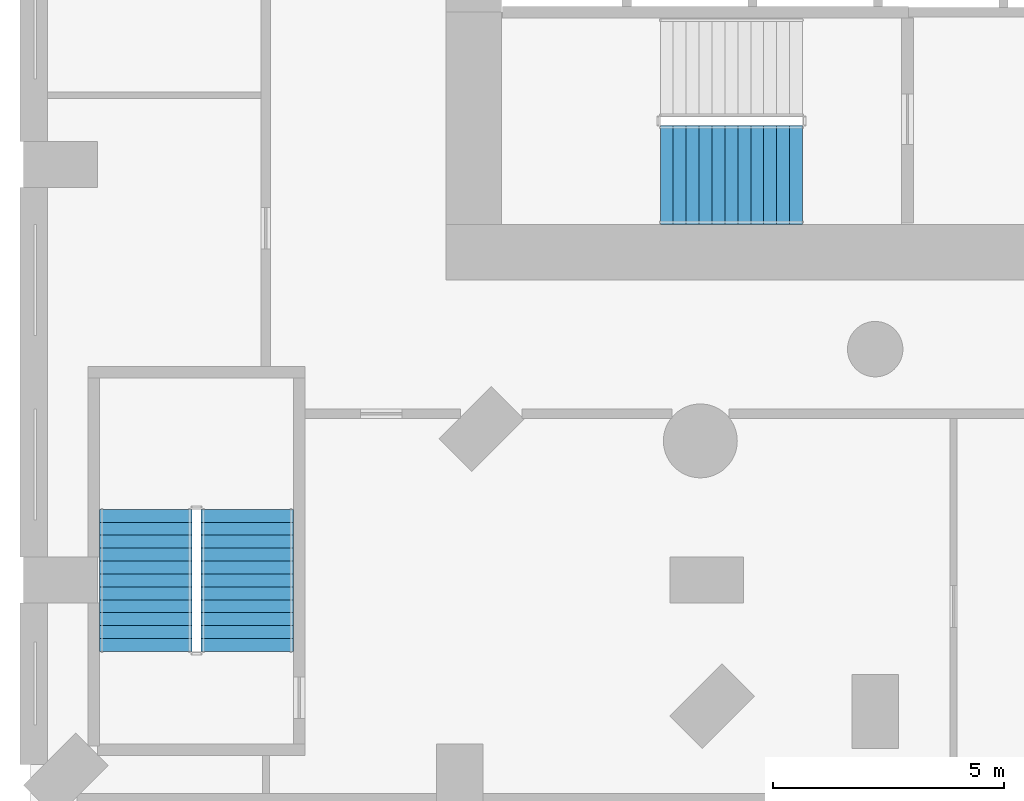
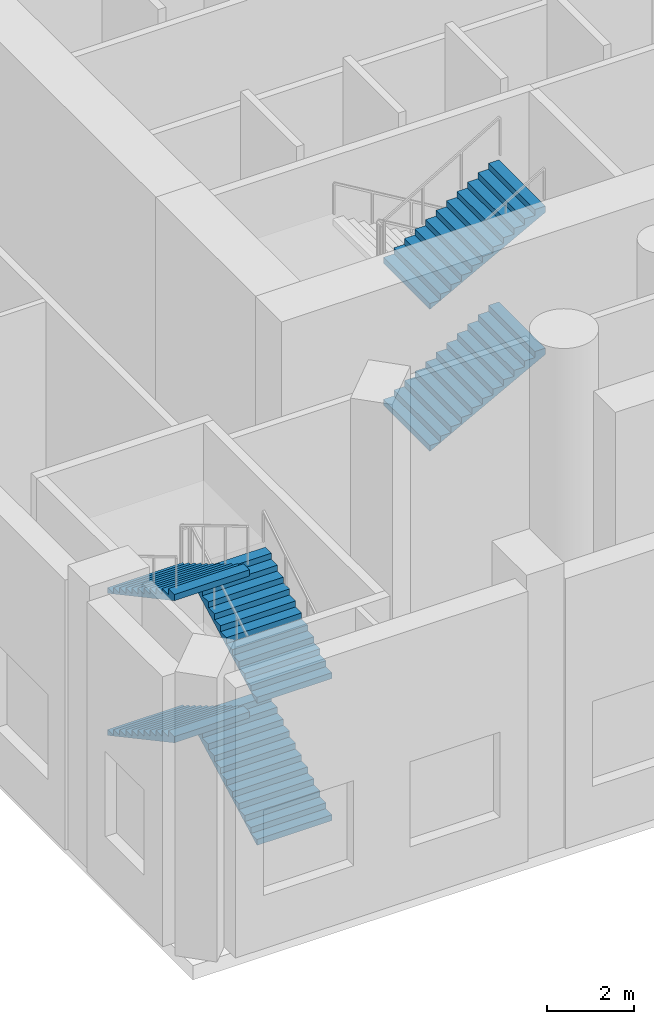
# One storey, part 10 of 18: 6 stair flights, 2 elements without a shape of their own.
"""IFC4 building model written with IfcOpenShell, lengths in metres."""

from ifc_helpers import new_model, si_unit, direction, frame, origin, place, context, subcontext, project, spatial, triangles, material, type_object, element, aggregate, save


model = new_model("IFC4")

# Units and contexts
model_context = context("Model", 3, precision=1e-05, world=origin(), true_north=direction((0.0, 1.0)))
body_context = subcontext(model_context, "Body", "Model", "MODEL_VIEW")
ifc_project = project(units=[si_unit("LENGTHUNIT", "METRE"), si_unit("AREAUNIT", "SQUARE_METRE"), si_unit("VOLUMEUNIT", "CUBIC_METRE"), si_unit("PLANEANGLEUNIT", "RADIAN"), si_unit("MASSUNIT", "GRAM", prefix="KILO")], contexts=[model_context])

# Site, building, storey
site_placement = place(None, origin())
site = spatial("IfcSite", under=ifc_project, at=site_placement, CompositionType="ELEMENT")
building_placement = place(site_placement, origin())
building = spatial("IfcBuilding", under=site, at=building_placement, Name="Cypress Arch Tower", CompositionType="ELEMENT")
storey_placement = place(building_placement, frame((0.0, 0.0, 36.0)))
storey = spatial("IfcBuildingStorey", under=building, at=storey_placement, Name="L04", CompositionType="ELEMENT", Elevation=36.0)

# Stair, stair flights
ifc_material_1 = material(Name="Concrete C40/50", Category="concrete")
stair_type_1 = type_object("IfcStairType", Name="Exit stair ES1667-200", PredefinedType="HALF_TURN_STAIR", material=ifc_material_1)
stair_1_placement = place(storey_placement, origin())
stair_1 = element("IfcStair", 1, at=stair_1_placement, inside=storey, type_object=stair_type_1, Name="L04 Exit stair P1", PredefinedType="HALF_TURN_STAIR")
ifc_material_2 = material(Name="Concrete C40/50", Category="concrete")
stair_flight_type_1 = type_object("IfcStairFlightType", Name="Exit stair flight ES1667-200", PredefinedType="STRAIGHT", material=ifc_material_2)
stair_flight_1_placement = place(storey_placement, frame((-34.300048828125, -24.050048828125, 0.0), z_axis=(0.0, 0.0, 1.0), x_axis=(0.0, 1.0, 0.0)))
stair_flight_1 = element("IfcStairFlight", 2, at=stair_flight_1_placement, type_object=stair_flight_type_1, Name="P1 flight 1", NumberOfRisers=12, NumberOfTreads=11, PredefinedType="STRAIGHT", RiserHeight=0.166666667, TreadLength=0.28, context=body_context, shape_type="Tessellation", body=[
    triangles([(0.0, -1.0, 0.0), (0.0, -1.0, 0.166748046875), (0.280029296875, -1.0, 0.166748046875), (0.280029296875, -1.0, 0.333251953125), (0.56005859375, -1.0, 0.333251953125), (0.56005859375, -1.0, 0.5), (0.840087890625, -1.0, 0.5), (0.840087890625, -1.0, 0.666748046875), (1.1201171875, -1.0, 0.666748046875), (1.1201171875, -1.0, 0.833251953125), (1.39990234375, -1.0, 0.833251953125), (1.39990234375, -1.0, 1.0), (1.679931640625, -1.0, 1.0), (1.679931640625, -1.0, 1.166748046875), (1.9599609375, -1.0, 1.166748046875), (1.9599609375, -1.0, 1.333251953125), (2.239990234375, -1.0, 1.333251953125), (2.239990234375, -1.0, 1.5), (2.52001953125, -1.0, 1.5), (2.52001953125, -1.0, 1.666748046875), (2.800048828125, -1.0, 1.666748046875), (2.800048828125, -1.0, 1.833251953125), (3.080078125, -1.0, 1.833251953125), (3.080078125, -1.0, 1.658935546875), (3.080078125, 1.0, 1.658935546875), (3.080078125, 1.0, 1.833251953125), (2.800048828125, 1.0, 1.833251953125), (2.800048828125, 1.0, 1.666748046875), (2.52001953125, 1.0, 1.666748046875), (2.52001953125, 1.0, 1.5), (2.239990234375, 1.0, 1.5), (2.239990234375, 1.0, 1.333251953125), (1.9599609375, 1.0, 1.333251953125), (1.9599609375, 1.0, 1.166748046875), (1.679931640625, 1.0, 1.166748046875), (1.679931640625, 1.0, 1.0), (1.39990234375, 1.0, 1.0), (1.39990234375, 1.0, 0.833251953125), (1.1201171875, 1.0, 0.833251953125), (1.1201171875, 1.0, 0.666748046875), (0.840087890625, 1.0, 0.666748046875), (0.840087890625, 1.0, 0.5), (0.56005859375, 1.0, 0.5), (0.56005859375, 1.0, 0.333251953125), (0.280029296875, 1.0, 0.333251953125), (0.280029296875, 1.0, 0.166748046875), (0.0, 1.0, 0.166748046875), (0.0, 1.0, 0.0), (3.080078125, 0.0, 1.833251953125), (3.080078125, 0.0, 1.658935546875), (2.800048828125, 0.0, 1.833251953125), (2.800048828125, 0.0, 1.666748046875), (2.52001953125, 0.0, 1.666748046875), (2.52001953125, 0.0, 1.5), (2.239990234375, 0.0, 1.5), (2.239990234375, 0.0, 1.333251953125), (1.9599609375, 0.0, 1.333251953125), (1.9599609375, 0.0, 1.166748046875), (1.679931640625, 0.0, 1.166748046875), (1.679931640625, 0.0, 1.0), (1.39990234375, 0.0, 1.0), (1.39990234375, 0.0, 0.833251953125), (1.1201171875, 0.0, 0.833251953125), (1.1201171875, 0.0, 0.666748046875), (0.840087890625, 0.0, 0.666748046875), (0.840087890625, 0.0, 0.5), (0.56005859375, 0.0, 0.5), (0.56005859375, 0.0, 0.333251953125), (0.280029296875, 0.0, 0.333251953125), (0.280029296875, 0.0, 0.166748046875), (0.0, 0.0, 0.166748046875), (0.0, 0.0, 0.0)], [[24, 23, 22], [21, 20, 19], [19, 18, 17], [15, 14, 13], [13, 12, 11], [9, 8, 7], [7, 6, 5], [3, 2, 1], [11, 10, 9], [17, 16, 15], [5, 4, 3], [24, 22, 21], [24, 21, 19], [24, 19, 17], [24, 17, 15], [24, 15, 13], [24, 13, 11], [24, 11, 9], [24, 9, 7], [24, 7, 5], [1, 24, 5], [5, 3, 1], [25, 27, 26], [28, 30, 29], [30, 32, 31], [34, 36, 35], [36, 38, 37], [40, 42, 41], [42, 44, 43], [46, 48, 47], [38, 40, 39], [32, 34, 33], [44, 46, 45], [25, 28, 27], [25, 30, 28], [25, 32, 30], [25, 34, 32], [25, 36, 34], [25, 38, 36], [25, 40, 38], [25, 42, 40], [25, 44, 42], [48, 44, 25], [44, 48, 46], [50, 49, 23], [50, 23, 24], [25, 26, 49], [25, 49, 50], [49, 51, 22], [49, 22, 23], [26, 27, 51], [26, 51, 49], [51, 52, 21], [51, 21, 22], [27, 28, 52], [27, 52, 51], [52, 53, 20], [52, 20, 21], [28, 29, 53], [28, 53, 52], [53, 54, 19], [53, 19, 20], [29, 30, 54], [29, 54, 53], [54, 55, 18], [54, 18, 19], [30, 31, 55], [30, 55, 54], [55, 56, 17], [55, 17, 18], [31, 32, 56], [31, 56, 55], [56, 57, 16], [56, 16, 17], [32, 33, 57], [32, 57, 56], [57, 58, 15], [57, 15, 16], [33, 34, 58], [33, 58, 57], [58, 59, 14], [58, 14, 15], [34, 35, 59], [34, 59, 58], [59, 60, 13], [59, 13, 14], [35, 36, 60], [35, 60, 59], [60, 61, 12], [60, 12, 13], [36, 37, 61], [36, 61, 60], [61, 62, 11], [61, 11, 12], [37, 38, 62], [37, 62, 61], [62, 63, 10], [62, 10, 11], [38, 39, 63], [38, 63, 62], [63, 64, 9], [63, 9, 10], [39, 40, 64], [39, 64, 63], [64, 65, 8], [64, 8, 9], [40, 41, 65], [40, 65, 64], [65, 66, 7], [65, 7, 8], [41, 42, 66], [41, 66, 65], [66, 67, 6], [66, 6, 7], [42, 43, 67], [42, 67, 66], [67, 68, 5], [67, 5, 6], [43, 44, 68], [43, 68, 67], [68, 69, 4], [68, 4, 5], [44, 45, 69], [44, 69, 68], [69, 70, 3], [69, 3, 4], [45, 46, 70], [45, 70, 69], [70, 71, 2], [70, 2, 3], [46, 47, 71], [46, 71, 70], [71, 72, 1], [71, 1, 2], [47, 48, 72], [47, 72, 71], [72, 50, 24], [72, 24, 1], [48, 25, 50], [48, 50, 72]], closed=True),
])
stair_flight_2_placement = place(storey_placement, frame((-36.5, -20.969970703125, 2.0), z_axis=(0.0, 0.0, 1.0), x_axis=(0.0, -1.0, 0.0)))
stair_flight_2 = element("IfcStairFlight", 3, at=stair_flight_2_placement, type_object=stair_flight_type_1, Name="P1 flight 2", NumberOfRisers=12, NumberOfTreads=11, PredefinedType="STRAIGHT", RiserHeight=0.166666667, TreadLength=0.28, context=body_context, shape_type="Tessellation", body=[
    triangles([(0.0, -1.0, 0.0), (0.0, -1.0, 0.166748046875), (0.280029296875, -1.0, 0.166748046875), (0.280029296875, -1.0, 0.333251953125), (0.56005859375, -1.0, 0.333251953125), (0.56005859375, -1.0, 0.5), (0.840087890625, -1.0, 0.5), (0.840087890625, -1.0, 0.666748046875), (1.1201171875, -1.0, 0.666748046875), (1.1201171875, -1.0, 0.833251953125), (1.39990234375, -1.0, 0.833251953125), (1.39990234375, -1.0, 1.0), (1.679931640625, -1.0, 1.0), (1.679931640625, -1.0, 1.166748046875), (1.9599609375, -1.0, 1.166748046875), (1.9599609375, -1.0, 1.333251953125), (2.239990234375, -1.0, 1.333251953125), (2.239990234375, -1.0, 1.5), (2.52001953125, -1.0, 1.5), (2.52001953125, -1.0, 1.666748046875), (2.800048828125, -1.0, 1.666748046875), (2.800048828125, -1.0, 1.833251953125), (3.080078125, -1.0, 1.833251953125), (3.080078125, -1.0, 1.658935546875), (3.080078125, 1.0, 1.658935546875), (3.080078125, 1.0, 1.833251953125), (2.800048828125, 1.0, 1.833251953125), (2.800048828125, 1.0, 1.666748046875), (2.52001953125, 1.0, 1.666748046875), (2.52001953125, 1.0, 1.5), (2.239990234375, 1.0, 1.5), (2.239990234375, 1.0, 1.333251953125), (1.9599609375, 1.0, 1.333251953125), (1.9599609375, 1.0, 1.166748046875), (1.679931640625, 1.0, 1.166748046875), (1.679931640625, 1.0, 1.0), (1.39990234375, 1.0, 1.0), (1.39990234375, 1.0, 0.833251953125), (1.1201171875, 1.0, 0.833251953125), (1.1201171875, 1.0, 0.666748046875), (0.840087890625, 1.0, 0.666748046875), (0.840087890625, 1.0, 0.5), (0.56005859375, 1.0, 0.5), (0.56005859375, 1.0, 0.333251953125), (0.280029296875, 1.0, 0.333251953125), (0.280029296875, 1.0, 0.166748046875), (0.0, 1.0, 0.166748046875), (0.0, 1.0, 0.0), (3.080078125, 0.0, 1.833251953125), (3.080078125, 0.0, 1.658935546875), (2.800048828125, 0.0, 1.833251953125), (2.800048828125, 0.0, 1.666748046875), (2.52001953125, 0.0, 1.666748046875), (2.52001953125, 0.0, 1.5), (2.239990234375, 0.0, 1.5), (2.239990234375, 0.0, 1.333251953125), (1.9599609375, 0.0, 1.333251953125), (1.9599609375, 0.0, 1.166748046875), (1.679931640625, 0.0, 1.166748046875), (1.679931640625, 0.0, 1.0), (1.39990234375, 0.0, 1.0), (1.39990234375, 0.0, 0.833251953125), (1.1201171875, 0.0, 0.833251953125), (1.1201171875, 0.0, 0.666748046875), (0.840087890625, 0.0, 0.666748046875), (0.840087890625, 0.0, 0.5), (0.56005859375, 0.0, 0.5), (0.56005859375, 0.0, 0.333251953125), (0.280029296875, 0.0, 0.333251953125), (0.280029296875, 0.0, 0.166748046875), (0.0, 0.0, 0.166748046875), (0.0, 0.0, 0.0)], [[24, 23, 22], [21, 20, 19], [19, 18, 17], [15, 14, 13], [13, 12, 11], [9, 8, 7], [7, 6, 5], [3, 2, 1], [11, 10, 9], [17, 16, 15], [5, 4, 3], [24, 22, 21], [24, 21, 19], [24, 19, 17], [24, 17, 15], [24, 15, 13], [24, 13, 11], [24, 11, 9], [24, 9, 7], [24, 7, 5], [1, 24, 5], [5, 3, 1], [25, 27, 26], [28, 30, 29], [30, 32, 31], [34, 36, 35], [36, 38, 37], [40, 42, 41], [42, 44, 43], [46, 48, 47], [38, 40, 39], [32, 34, 33], [44, 46, 45], [25, 28, 27], [25, 30, 28], [25, 32, 30], [25, 34, 32], [25, 36, 34], [25, 38, 36], [25, 40, 38], [25, 42, 40], [25, 44, 42], [48, 44, 25], [44, 48, 46], [50, 49, 23], [50, 23, 24], [25, 26, 49], [25, 49, 50], [49, 51, 22], [49, 22, 23], [26, 27, 51], [26, 51, 49], [51, 52, 21], [51, 21, 22], [27, 28, 52], [27, 52, 51], [52, 53, 20], [52, 20, 21], [28, 29, 53], [28, 53, 52], [53, 54, 19], [53, 19, 20], [29, 30, 54], [29, 54, 53], [54, 55, 18], [54, 18, 19], [30, 31, 55], [30, 55, 54], [55, 56, 17], [55, 17, 18], [31, 32, 56], [31, 56, 55], [56, 57, 16], [56, 16, 17], [32, 33, 57], [32, 57, 56], [57, 58, 15], [57, 15, 16], [33, 34, 58], [33, 58, 57], [58, 59, 14], [58, 14, 15], [34, 35, 59], [34, 59, 58], [59, 60, 13], [59, 13, 14], [35, 36, 60], [35, 60, 59], [60, 61, 12], [60, 12, 13], [36, 37, 61], [36, 61, 60], [61, 62, 11], [61, 11, 12], [37, 38, 62], [37, 62, 61], [62, 63, 10], [62, 10, 11], [38, 39, 63], [38, 63, 62], [63, 64, 9], [63, 9, 10], [39, 40, 64], [39, 64, 63], [64, 65, 8], [64, 8, 9], [40, 41, 65], [40, 65, 64], [65, 66, 7], [65, 7, 8], [41, 42, 66], [41, 66, 65], [66, 67, 6], [66, 6, 7], [42, 43, 67], [42, 67, 66], [67, 68, 5], [67, 5, 6], [43, 44, 68], [43, 68, 67], [68, 69, 4], [68, 4, 5], [44, 45, 69], [44, 69, 68], [69, 70, 3], [69, 3, 4], [45, 46, 70], [45, 70, 69], [70, 71, 2], [70, 2, 3], [46, 47, 71], [46, 71, 70], [71, 72, 1], [71, 1, 2], [47, 48, 72], [47, 72, 71], [72, 50, 24], [72, 24, 1], [48, 25, 50], [48, 50, 72]], closed=True),
])
stair_flight_3_placement = place(storey_placement, frame((-34.300048828125, -24.050048828125, 4.0), z_axis=(0.0, 0.0, 1.0), x_axis=(0.0, 1.0, 0.0)))
stair_flight_3 = element("IfcStairFlight", 4, at=stair_flight_3_placement, type_object=stair_flight_type_1, Name="P1 flight 3", NumberOfRisers=12, NumberOfTreads=11, PredefinedType="STRAIGHT", RiserHeight=0.166666667, TreadLength=0.28, context=body_context, shape_type="Tessellation", body=[
    triangles([(0.0, -1.0, 0.0), (0.0, -1.0, 0.166748046875), (0.280029296875, -1.0, 0.166748046875), (0.280029296875, -1.0, 0.333251953125), (0.56005859375, -1.0, 0.333251953125), (0.56005859375, -1.0, 0.5), (0.840087890625, -1.0, 0.5), (0.840087890625, -1.0, 0.666748046875), (1.1201171875, -1.0, 0.666748046875), (1.1201171875, -1.0, 0.833251953125), (1.39990234375, -1.0, 0.833251953125), (1.39990234375, -1.0, 1.0), (1.679931640625, -1.0, 1.0), (1.679931640625, -1.0, 1.166748046875), (1.9599609375, -1.0, 1.166748046875), (1.9599609375, -1.0, 1.333251953125), (2.239990234375, -1.0, 1.333251953125), (2.239990234375, -1.0, 1.5), (2.52001953125, -1.0, 1.5), (2.52001953125, -1.0, 1.666748046875), (2.800048828125, -1.0, 1.666748046875), (2.800048828125, -1.0, 1.833251953125), (3.080078125, -1.0, 1.833251953125), (3.080078125, -1.0, 1.658935546875), (3.080078125, 1.0, 1.658935546875), (3.080078125, 1.0, 1.833251953125), (2.800048828125, 1.0, 1.833251953125), (2.800048828125, 1.0, 1.666748046875), (2.52001953125, 1.0, 1.666748046875), (2.52001953125, 1.0, 1.5), (2.239990234375, 1.0, 1.5), (2.239990234375, 1.0, 1.333251953125), (1.9599609375, 1.0, 1.333251953125), (1.9599609375, 1.0, 1.166748046875), (1.679931640625, 1.0, 1.166748046875), (1.679931640625, 1.0, 1.0), (1.39990234375, 1.0, 1.0), (1.39990234375, 1.0, 0.833251953125), (1.1201171875, 1.0, 0.833251953125), (1.1201171875, 1.0, 0.666748046875), (0.840087890625, 1.0, 0.666748046875), (0.840087890625, 1.0, 0.5), (0.56005859375, 1.0, 0.5), (0.56005859375, 1.0, 0.333251953125), (0.280029296875, 1.0, 0.333251953125), (0.280029296875, 1.0, 0.166748046875), (0.0, 1.0, 0.166748046875), (0.0, 1.0, 0.0), (3.080078125, 0.0, 1.833251953125), (3.080078125, 0.0, 1.658935546875), (2.800048828125, 0.0, 1.833251953125), (2.800048828125, 0.0, 1.666748046875), (2.52001953125, 0.0, 1.666748046875), (2.52001953125, 0.0, 1.5), (2.239990234375, 0.0, 1.5), (2.239990234375, 0.0, 1.333251953125), (1.9599609375, 0.0, 1.333251953125), (1.9599609375, 0.0, 1.166748046875), (1.679931640625, 0.0, 1.166748046875), (1.679931640625, 0.0, 1.0), (1.39990234375, 0.0, 1.0), (1.39990234375, 0.0, 0.833251953125), (1.1201171875, 0.0, 0.833251953125), (1.1201171875, 0.0, 0.666748046875), (0.840087890625, 0.0, 0.666748046875), (0.840087890625, 0.0, 0.5), (0.56005859375, 0.0, 0.5), (0.56005859375, 0.0, 0.333251953125), (0.280029296875, 0.0, 0.333251953125), (0.280029296875, 0.0, 0.166748046875), (0.0, 0.0, 0.166748046875), (0.0, 0.0, 0.0)], [[24, 23, 22], [21, 20, 19], [19, 18, 17], [15, 14, 13], [13, 12, 11], [9, 8, 7], [7, 6, 5], [3, 2, 1], [11, 10, 9], [17, 16, 15], [5, 4, 3], [24, 22, 21], [24, 21, 19], [24, 19, 17], [24, 17, 15], [24, 15, 13], [24, 13, 11], [24, 11, 9], [24, 9, 7], [24, 7, 5], [1, 24, 5], [5, 3, 1], [25, 27, 26], [28, 30, 29], [30, 32, 31], [34, 36, 35], [36, 38, 37], [40, 42, 41], [42, 44, 43], [46, 48, 47], [38, 40, 39], [32, 34, 33], [44, 46, 45], [25, 28, 27], [25, 30, 28], [25, 32, 30], [25, 34, 32], [25, 36, 34], [25, 38, 36], [25, 40, 38], [25, 42, 40], [25, 44, 42], [48, 44, 25], [44, 48, 46], [50, 49, 23], [50, 23, 24], [25, 26, 49], [25, 49, 50], [49, 51, 22], [49, 22, 23], [26, 27, 51], [26, 51, 49], [51, 52, 21], [51, 21, 22], [27, 28, 52], [27, 52, 51], [52, 53, 20], [52, 20, 21], [28, 29, 53], [28, 53, 52], [53, 54, 19], [53, 19, 20], [29, 30, 54], [29, 54, 53], [54, 55, 18], [54, 18, 19], [30, 31, 55], [30, 55, 54], [55, 56, 17], [55, 17, 18], [31, 32, 56], [31, 56, 55], [56, 57, 16], [56, 16, 17], [32, 33, 57], [32, 57, 56], [57, 58, 15], [57, 15, 16], [33, 34, 58], [33, 58, 57], [58, 59, 14], [58, 14, 15], [34, 35, 59], [34, 59, 58], [59, 60, 13], [59, 13, 14], [35, 36, 60], [35, 60, 59], [60, 61, 12], [60, 12, 13], [36, 37, 61], [36, 61, 60], [61, 62, 11], [61, 11, 12], [37, 38, 62], [37, 62, 61], [62, 63, 10], [62, 10, 11], [38, 39, 63], [38, 63, 62], [63, 64, 9], [63, 9, 10], [39, 40, 64], [39, 64, 63], [64, 65, 8], [64, 8, 9], [40, 41, 65], [40, 65, 64], [65, 66, 7], [65, 7, 8], [41, 42, 66], [41, 66, 65], [66, 67, 6], [66, 6, 7], [42, 43, 67], [42, 67, 66], [67, 68, 5], [67, 5, 6], [43, 44, 68], [43, 68, 67], [68, 69, 4], [68, 4, 5], [44, 45, 69], [44, 69, 68], [69, 70, 3], [69, 3, 4], [45, 46, 70], [45, 70, 69], [70, 71, 2], [70, 2, 3], [46, 47, 71], [46, 71, 70], [71, 72, 1], [71, 1, 2], [47, 48, 72], [47, 72, 71], [72, 50, 24], [72, 24, 1], [48, 25, 50], [48, 50, 72]], closed=True),
])
stair_flight_4_placement = place(storey_placement, frame((-36.5, -20.969970703125, 6.0), z_axis=(0.0, 0.0, 1.0), x_axis=(0.0, -1.0, 0.0)))
stair_flight_4 = element("IfcStairFlight", 5, at=stair_flight_4_placement, type_object=stair_flight_type_1, Name="P1 flight 4", NumberOfRisers=12, NumberOfTreads=11, PredefinedType="STRAIGHT", RiserHeight=0.166666667, TreadLength=0.28, context=body_context, shape_type="Tessellation", body=[
    triangles([(0.0, -1.0, 0.0), (0.0, -1.0, 0.166748046875), (0.280029296875, -1.0, 0.166748046875), (0.280029296875, -1.0, 0.333251953125), (0.56005859375, -1.0, 0.333251953125), (0.56005859375, -1.0, 0.5), (0.840087890625, -1.0, 0.5), (0.840087890625, -1.0, 0.666748046875), (1.1201171875, -1.0, 0.666748046875), (1.1201171875, -1.0, 0.833251953125), (1.39990234375, -1.0, 0.833251953125), (1.39990234375, -1.0, 1.0), (1.679931640625, -1.0, 1.0), (1.679931640625, -1.0, 1.166748046875), (1.9599609375, -1.0, 1.166748046875), (1.9599609375, -1.0, 1.333251953125), (2.239990234375, -1.0, 1.333251953125), (2.239990234375, -1.0, 1.5), (2.52001953125, -1.0, 1.5), (2.52001953125, -1.0, 1.666748046875), (2.800048828125, -1.0, 1.666748046875), (2.800048828125, -1.0, 1.833251953125), (3.080078125, -1.0, 1.833251953125), (3.080078125, -1.0, 1.658935546875), (3.080078125, 1.0, 1.658935546875), (3.080078125, 1.0, 1.833251953125), (2.800048828125, 1.0, 1.833251953125), (2.800048828125, 1.0, 1.666748046875), (2.52001953125, 1.0, 1.666748046875), (2.52001953125, 1.0, 1.5), (2.239990234375, 1.0, 1.5), (2.239990234375, 1.0, 1.333251953125), (1.9599609375, 1.0, 1.333251953125), (1.9599609375, 1.0, 1.166748046875), (1.679931640625, 1.0, 1.166748046875), (1.679931640625, 1.0, 1.0), (1.39990234375, 1.0, 1.0), (1.39990234375, 1.0, 0.833251953125), (1.1201171875, 1.0, 0.833251953125), (1.1201171875, 1.0, 0.666748046875), (0.840087890625, 1.0, 0.666748046875), (0.840087890625, 1.0, 0.5), (0.56005859375, 1.0, 0.5), (0.56005859375, 1.0, 0.333251953125), (0.280029296875, 1.0, 0.333251953125), (0.280029296875, 1.0, 0.166748046875), (0.0, 1.0, 0.166748046875), (0.0, 1.0, 0.0), (3.080078125, 0.0, 1.833251953125), (3.080078125, 0.0, 1.658935546875), (2.800048828125, 0.0, 1.833251953125), (2.800048828125, 0.0, 1.666748046875), (2.52001953125, 0.0, 1.666748046875), (2.52001953125, 0.0, 1.5), (2.239990234375, 0.0, 1.5), (2.239990234375, 0.0, 1.333251953125), (1.9599609375, 0.0, 1.333251953125), (1.9599609375, 0.0, 1.166748046875), (1.679931640625, 0.0, 1.166748046875), (1.679931640625, 0.0, 1.0), (1.39990234375, 0.0, 1.0), (1.39990234375, 0.0, 0.833251953125), (1.1201171875, 0.0, 0.833251953125), (1.1201171875, 0.0, 0.666748046875), (0.840087890625, 0.0, 0.666748046875), (0.840087890625, 0.0, 0.5), (0.56005859375, 0.0, 0.5), (0.56005859375, 0.0, 0.333251953125), (0.280029296875, 0.0, 0.333251953125), (0.280029296875, 0.0, 0.166748046875), (0.0, 0.0, 0.166748046875), (0.0, 0.0, 0.0)], [[24, 23, 22], [21, 20, 19], [19, 18, 17], [15, 14, 13], [13, 12, 11], [9, 8, 7], [7, 6, 5], [3, 2, 1], [11, 10, 9], [17, 16, 15], [5, 4, 3], [24, 22, 21], [24, 21, 19], [24, 19, 17], [24, 17, 15], [24, 15, 13], [24, 13, 11], [24, 11, 9], [24, 9, 7], [24, 7, 5], [1, 24, 5], [5, 3, 1], [25, 27, 26], [28, 30, 29], [30, 32, 31], [34, 36, 35], [36, 38, 37], [40, 42, 41], [42, 44, 43], [46, 48, 47], [38, 40, 39], [32, 34, 33], [44, 46, 45], [25, 28, 27], [25, 30, 28], [25, 32, 30], [25, 34, 32], [25, 36, 34], [25, 38, 36], [25, 40, 38], [25, 42, 40], [25, 44, 42], [48, 44, 25], [44, 48, 46], [50, 49, 23], [50, 23, 24], [25, 26, 49], [25, 49, 50], [49, 51, 22], [49, 22, 23], [26, 27, 51], [26, 51, 49], [51, 52, 21], [51, 21, 22], [27, 28, 52], [27, 52, 51], [52, 53, 20], [52, 20, 21], [28, 29, 53], [28, 53, 52], [53, 54, 19], [53, 19, 20], [29, 30, 54], [29, 54, 53], [54, 55, 18], [54, 18, 19], [30, 31, 55], [30, 55, 54], [55, 56, 17], [55, 17, 18], [31, 32, 56], [31, 56, 55], [56, 57, 16], [56, 16, 17], [32, 33, 57], [32, 57, 56], [57, 58, 15], [57, 15, 16], [33, 34, 58], [33, 58, 57], [58, 59, 14], [58, 14, 15], [34, 35, 59], [34, 59, 58], [59, 60, 13], [59, 13, 14], [35, 36, 60], [35, 60, 59], [60, 61, 12], [60, 12, 13], [36, 37, 61], [36, 61, 60], [61, 62, 11], [61, 11, 12], [37, 38, 62], [37, 62, 61], [62, 63, 10], [62, 10, 11], [38, 39, 63], [38, 63, 62], [63, 64, 9], [63, 9, 10], [39, 40, 64], [39, 64, 63], [64, 65, 8], [64, 8, 9], [40, 41, 65], [40, 65, 64], [65, 66, 7], [65, 7, 8], [41, 42, 66], [41, 66, 65], [66, 67, 6], [66, 6, 7], [42, 43, 67], [42, 67, 66], [67, 68, 5], [67, 5, 6], [43, 44, 68], [43, 68, 67], [68, 69, 4], [68, 4, 5], [44, 45, 69], [44, 69, 68], [69, 70, 3], [69, 3, 4], [45, 46, 70], [45, 70, 69], [70, 71, 2], [70, 2, 3], [46, 47, 71], [46, 71, 70], [71, 72, 1], [71, 1, 2], [47, 48, 72], [47, 72, 71], [72, 50, 24], [72, 24, 1], [48, 25, 50], [48, 50, 72]], closed=True),
])
aggregate(stair_1, [stair_flight_1, stair_flight_2, stair_flight_3, stair_flight_4])

ifc_material_3 = material(Name="Concrete C40/50", Category="concrete")
stair_type_2 = type_object("IfcStairType", Name="Exit stair ES1667-215", PredefinedType="HALF_TURN_STAIR", material=ifc_material_3)
stair_2_placement = place(storey_placement, origin())
stair_2 = element("IfcStair", 6, at=stair_2_placement, inside=storey, type_object=stair_type_2, Name="L04 Exit stair A", PredefinedType="HALF_TURN_STAIR")
ifc_material_4 = material(Name="Concrete C40/50", Category="concrete")
stair_flight_type_2 = type_object("IfcStairFlightType", Name="Exit stair flight ES1667-215", PredefinedType="STRAIGHT", material=ifc_material_4)
stair_flight_5_placement = place(storey_placement, frame((-25.35498046875, -13.72509765625, 2.0), z_axis=(0.0, 0.0, 1.0), x_axis=(1.0, 0.0, 0.0)))
stair_flight_5 = element("IfcStairFlight", 7, at=stair_flight_5_placement, type_object=stair_flight_type_2, Name="A flight 2", NumberOfRisers=12, NumberOfTreads=11, PredefinedType="STRAIGHT", RiserHeight=0.166666667, TreadLength=0.28, context=body_context, shape_type="Tessellation", body=[
    triangles([(0.0, -1.074951171875, 0.0), (0.000244140625, -1.074951171875, 0.0185546875), (0.000244140625, -1.074951171875, 0.037109375), (0.00048828125, -1.074951171875, 0.0556640625), (0.00048828125, -1.074951171875, 0.07421875), (0.00048828125, -1.074951171875, 0.092529296875), (0.00048828125, -1.074951171875, 0.111083984375), (0.000244140625, -1.074951171875, 0.129638671875), (0.000244140625, -1.074951171875, 0.148193359375), (0.0, -1.074951171875, 0.166748046875), (0.280029296875, -1.074951171875, 0.166748046875), (0.280029296875, -1.074951171875, 0.333251953125), (0.56005859375, -1.074951171875, 0.333251953125), (0.56005859375, -1.074951171875, 0.5), (0.840087890625, -1.074951171875, 0.5), (0.840087890625, -1.074951171875, 0.666748046875), (1.1201171875, -1.074951171875, 0.666748046875), (1.1201171875, -1.074951171875, 0.833251953125), (1.39990234375, -1.074951171875, 0.833251953125), (1.39990234375, -1.074951171875, 1.0), (1.679931640625, -1.074951171875, 1.0), (1.679931640625, -1.074951171875, 1.166748046875), (1.9599609375, -1.074951171875, 1.166748046875), (1.9599609375, -1.074951171875, 1.333251953125), (2.239990234375, -1.074951171875, 1.333251953125), (2.239990234375, -1.074951171875, 1.5), (2.52001953125, -1.074951171875, 1.5), (2.52001953125, -1.074951171875, 1.666748046875), (2.800048828125, -1.074951171875, 1.666748046875), (2.800048828125, -1.074951171875, 1.833251953125), (3.080078125, -1.074951171875, 1.833251953125), (3.079833984375, -1.074951171875, 1.81396484375), (3.079833984375, -1.074951171875, 1.79443359375), (3.07958984375, -1.074951171875, 1.775146484375), (3.07958984375, -1.074951171875, 1.755859375), (3.07958984375, -1.074951171875, 1.736328125), (3.07958984375, -1.074951171875, 1.717041015625), (3.079833984375, -1.074951171875, 1.69775390625), (3.079833984375, -1.074951171875, 1.67822265625), (3.080078125, -1.074951171875, 1.658935546875), (3.080078125, 1.074951171875, 1.658935546875), (3.079833984375, 1.074951171875, 1.67822265625), (3.079833984375, 1.074951171875, 1.69775390625), (3.07958984375, 1.074951171875, 1.717041015625), (3.07958984375, 1.074951171875, 1.736328125), (3.07958984375, 1.074951171875, 1.755859375), (3.07958984375, 1.074951171875, 1.775146484375), (3.079833984375, 1.074951171875, 1.79443359375), (3.079833984375, 1.074951171875, 1.81396484375), (3.080078125, 1.074951171875, 1.833251953125), (2.800048828125, 1.074951171875, 1.833251953125), (2.800048828125, 1.074951171875, 1.666748046875), (2.52001953125, 1.074951171875, 1.666748046875), (2.52001953125, 1.074951171875, 1.5), (2.239990234375, 1.074951171875, 1.5), (2.239990234375, 1.074951171875, 1.333251953125), (1.9599609375, 1.074951171875, 1.333251953125), (1.9599609375, 1.074951171875, 1.166748046875), (1.679931640625, 1.074951171875, 1.166748046875), (1.679931640625, 1.074951171875, 1.0), (1.39990234375, 1.074951171875, 1.0), (1.39990234375, 1.074951171875, 0.833251953125), (1.1201171875, 1.074951171875, 0.833251953125), (1.1201171875, 1.074951171875, 0.666748046875), (0.840087890625, 1.074951171875, 0.666748046875), (0.840087890625, 1.074951171875, 0.5), (0.56005859375, 1.074951171875, 0.5), (0.56005859375, 1.074951171875, 0.333251953125), (0.280029296875, 1.074951171875, 0.333251953125), (0.280029296875, 1.074951171875, 0.166748046875), (0.0, 1.074951171875, 0.166748046875), (0.000244140625, 1.074951171875, 0.148193359375), (0.000244140625, 1.074951171875, 0.129638671875), (0.00048828125, 1.074951171875, 0.111083984375), (0.00048828125, 1.074951171875, 0.092529296875), (0.00048828125, 1.074951171875, 0.07421875), (0.00048828125, 1.074951171875, 0.0556640625), (0.000244140625, 1.074951171875, 0.037109375), (0.000244140625, 1.074951171875, 0.0185546875), (0.0, 1.074951171875, 0.0)], [[40, 39, 30], [39, 38, 30], [38, 37, 30], [37, 36, 30], [36, 35, 30], [35, 34, 30], [34, 33, 30], [33, 32, 30], [32, 31, 30], [29, 28, 27], [27, 26, 25], [23, 22, 21], [21, 20, 19], [17, 16, 15], [15, 14, 13], [10, 9, 11], [9, 8, 11], [8, 7, 11], [7, 6, 11], [6, 5, 11], [5, 4, 11], [4, 3, 11], [3, 2, 11], [2, 1, 11], [19, 18, 17], [25, 24, 23], [13, 12, 11], [40, 30, 29], [40, 29, 27], [40, 27, 25], [40, 25, 23], [40, 23, 21], [40, 21, 19], [40, 19, 17], [40, 17, 15], [40, 15, 13], [1, 40, 13], [13, 11, 1], [41, 51, 42], [42, 51, 43], [43, 51, 44], [44, 51, 45], [45, 51, 46], [46, 51, 47], [47, 51, 48], [48, 51, 49], [49, 51, 50], [52, 54, 53], [54, 56, 55], [58, 60, 59], [60, 62, 61], [64, 66, 65], [66, 68, 67], [71, 70, 72], [72, 70, 73], [73, 70, 74], [74, 70, 75], [75, 70, 76], [76, 70, 77], [77, 70, 78], [78, 70, 79], [79, 70, 80], [62, 64, 63], [56, 58, 57], [68, 70, 69], [41, 52, 51], [41, 54, 52], [41, 56, 54], [41, 58, 56], [41, 60, 58], [41, 62, 60], [41, 64, 62], [41, 66, 64], [41, 68, 66], [80, 68, 41], [68, 80, 70], [41, 42, 39], [41, 39, 40], [42, 43, 38], [42, 38, 39], [43, 44, 37], [43, 37, 38], [44, 45, 36], [44, 36, 37], [45, 46, 35], [45, 35, 36], [46, 47, 34], [46, 34, 35], [47, 48, 33], [47, 33, 34], [48, 49, 32], [48, 32, 33], [49, 50, 31], [49, 31, 32], [50, 51, 30], [50, 30, 31], [51, 52, 29], [51, 29, 30], [52, 53, 28], [52, 28, 29], [53, 54, 27], [53, 27, 28], [54, 55, 26], [54, 26, 27], [55, 56, 25], [55, 25, 26], [56, 57, 24], [56, 24, 25], [57, 58, 23], [57, 23, 24], [58, 59, 22], [58, 22, 23], [59, 60, 21], [59, 21, 22], [60, 61, 20], [60, 20, 21], [61, 62, 19], [61, 19, 20], [62, 63, 18], [62, 18, 19], [63, 64, 17], [63, 17, 18], [64, 65, 16], [64, 16, 17], [65, 66, 15], [65, 15, 16], [66, 67, 14], [66, 14, 15], [67, 68, 13], [67, 13, 14], [68, 69, 12], [68, 12, 13], [69, 70, 11], [69, 11, 12], [70, 71, 10], [70, 10, 11], [71, 72, 9], [71, 9, 10], [72, 73, 8], [72, 8, 9], [73, 74, 7], [73, 7, 8], [74, 75, 6], [74, 6, 7], [75, 76, 5], [75, 5, 6], [76, 77, 4], [76, 4, 5], [77, 78, 3], [77, 3, 4], [78, 79, 2], [78, 2, 3], [79, 80, 1], [79, 1, 2], [80, 41, 40], [80, 40, 1]], closed=True),
])
stair_flight_6_placement = place(storey_placement, frame((-25.35498046875, -13.72509765625, 6.0), z_axis=(0.0, 0.0, 1.0), x_axis=(1.0, 0.0, 0.0)))
stair_flight_6 = element("IfcStairFlight", 8, at=stair_flight_6_placement, type_object=stair_flight_type_2, Name="A flight 4", NumberOfRisers=12, NumberOfTreads=11, PredefinedType="STRAIGHT", RiserHeight=0.166666667, TreadLength=0.28, context=body_context, shape_type="Tessellation", body=[
    triangles([(0.0, -1.074951171875, 0.0), (0.000244140625, -1.074951171875, 0.0185546875), (0.000244140625, -1.074951171875, 0.037109375), (0.00048828125, -1.074951171875, 0.0556640625), (0.00048828125, -1.074951171875, 0.07421875), (0.00048828125, -1.074951171875, 0.092529296875), (0.00048828125, -1.074951171875, 0.111083984375), (0.000244140625, -1.074951171875, 0.129638671875), (0.000244140625, -1.074951171875, 0.148193359375), (0.0, -1.074951171875, 0.166748046875), (0.280029296875, -1.074951171875, 0.166748046875), (0.280029296875, -1.074951171875, 0.333251953125), (0.56005859375, -1.074951171875, 0.333251953125), (0.56005859375, -1.074951171875, 0.5), (0.840087890625, -1.074951171875, 0.5), (0.840087890625, -1.074951171875, 0.666748046875), (1.1201171875, -1.074951171875, 0.666748046875), (1.1201171875, -1.074951171875, 0.833251953125), (1.39990234375, -1.074951171875, 0.833251953125), (1.39990234375, -1.074951171875, 1.0), (1.679931640625, -1.074951171875, 1.0), (1.679931640625, -1.074951171875, 1.166748046875), (1.9599609375, -1.074951171875, 1.166748046875), (1.9599609375, -1.074951171875, 1.333251953125), (2.239990234375, -1.074951171875, 1.333251953125), (2.239990234375, -1.074951171875, 1.5), (2.52001953125, -1.074951171875, 1.5), (2.52001953125, -1.074951171875, 1.666748046875), (2.800048828125, -1.074951171875, 1.666748046875), (2.800048828125, -1.074951171875, 1.833251953125), (3.080078125, -1.074951171875, 1.833251953125), (3.079833984375, -1.074951171875, 1.81396484375), (3.079833984375, -1.074951171875, 1.79443359375), (3.07958984375, -1.074951171875, 1.775146484375), (3.07958984375, -1.074951171875, 1.755859375), (3.07958984375, -1.074951171875, 1.736328125), (3.07958984375, -1.074951171875, 1.717041015625), (3.079833984375, -1.074951171875, 1.69775390625), (3.079833984375, -1.074951171875, 1.67822265625), (3.080078125, -1.074951171875, 1.658935546875), (3.080078125, 1.074951171875, 1.658935546875), (3.079833984375, 1.074951171875, 1.67822265625), (3.079833984375, 1.074951171875, 1.69775390625), (3.07958984375, 1.074951171875, 1.717041015625), (3.07958984375, 1.074951171875, 1.736328125), (3.07958984375, 1.074951171875, 1.755859375), (3.07958984375, 1.074951171875, 1.775146484375), (3.079833984375, 1.074951171875, 1.79443359375), (3.079833984375, 1.074951171875, 1.81396484375), (3.080078125, 1.074951171875, 1.833251953125), (2.800048828125, 1.074951171875, 1.833251953125), (2.800048828125, 1.074951171875, 1.666748046875), (2.52001953125, 1.074951171875, 1.666748046875), (2.52001953125, 1.074951171875, 1.5), (2.239990234375, 1.074951171875, 1.5), (2.239990234375, 1.074951171875, 1.333251953125), (1.9599609375, 1.074951171875, 1.333251953125), (1.9599609375, 1.074951171875, 1.166748046875), (1.679931640625, 1.074951171875, 1.166748046875), (1.679931640625, 1.074951171875, 1.0), (1.39990234375, 1.074951171875, 1.0), (1.39990234375, 1.074951171875, 0.833251953125), (1.1201171875, 1.074951171875, 0.833251953125), (1.1201171875, 1.074951171875, 0.666748046875), (0.840087890625, 1.074951171875, 0.666748046875), (0.840087890625, 1.074951171875, 0.5), (0.56005859375, 1.074951171875, 0.5), (0.56005859375, 1.074951171875, 0.333251953125), (0.280029296875, 1.074951171875, 0.333251953125), (0.280029296875, 1.074951171875, 0.166748046875), (0.0, 1.074951171875, 0.166748046875), (0.000244140625, 1.074951171875, 0.148193359375), (0.000244140625, 1.074951171875, 0.129638671875), (0.00048828125, 1.074951171875, 0.111083984375), (0.00048828125, 1.074951171875, 0.092529296875), (0.00048828125, 1.074951171875, 0.07421875), (0.00048828125, 1.074951171875, 0.0556640625), (0.000244140625, 1.074951171875, 0.037109375), (0.000244140625, 1.074951171875, 0.0185546875), (0.0, 1.074951171875, 0.0)], [[40, 39, 30], [39, 38, 30], [38, 37, 30], [37, 36, 30], [36, 35, 30], [35, 34, 30], [34, 33, 30], [33, 32, 30], [32, 31, 30], [29, 28, 27], [27, 26, 25], [23, 22, 21], [21, 20, 19], [17, 16, 15], [15, 14, 13], [10, 9, 11], [9, 8, 11], [8, 7, 11], [7, 6, 11], [6, 5, 11], [5, 4, 11], [4, 3, 11], [3, 2, 11], [2, 1, 11], [19, 18, 17], [25, 24, 23], [13, 12, 11], [40, 30, 29], [40, 29, 27], [40, 27, 25], [40, 25, 23], [40, 23, 21], [40, 21, 19], [40, 19, 17], [40, 17, 15], [40, 15, 13], [1, 40, 13], [13, 11, 1], [41, 51, 42], [42, 51, 43], [43, 51, 44], [44, 51, 45], [45, 51, 46], [46, 51, 47], [47, 51, 48], [48, 51, 49], [49, 51, 50], [52, 54, 53], [54, 56, 55], [58, 60, 59], [60, 62, 61], [64, 66, 65], [66, 68, 67], [71, 70, 72], [72, 70, 73], [73, 70, 74], [74, 70, 75], [75, 70, 76], [76, 70, 77], [77, 70, 78], [78, 70, 79], [79, 70, 80], [62, 64, 63], [56, 58, 57], [68, 70, 69], [41, 52, 51], [41, 54, 52], [41, 56, 54], [41, 58, 56], [41, 60, 58], [41, 62, 60], [41, 64, 62], [41, 66, 64], [41, 68, 66], [80, 68, 41], [68, 80, 70], [41, 42, 39], [41, 39, 40], [42, 43, 38], [42, 38, 39], [43, 44, 37], [43, 37, 38], [44, 45, 36], [44, 36, 37], [45, 46, 35], [45, 35, 36], [46, 47, 34], [46, 34, 35], [47, 48, 33], [47, 33, 34], [48, 49, 32], [48, 32, 33], [49, 50, 31], [49, 31, 32], [50, 51, 30], [50, 30, 31], [51, 52, 29], [51, 29, 30], [52, 53, 28], [52, 28, 29], [53, 54, 27], [53, 27, 28], [54, 55, 26], [54, 26, 27], [55, 56, 25], [55, 25, 26], [56, 57, 24], [56, 24, 25], [57, 58, 23], [57, 23, 24], [58, 59, 22], [58, 22, 23], [59, 60, 21], [59, 21, 22], [60, 61, 20], [60, 20, 21], [61, 62, 19], [61, 19, 20], [62, 63, 18], [62, 18, 19], [63, 64, 17], [63, 17, 18], [64, 65, 16], [64, 16, 17], [65, 66, 15], [65, 15, 16], [66, 67, 14], [66, 14, 15], [67, 68, 13], [67, 13, 14], [68, 69, 12], [68, 12, 13], [69, 70, 11], [69, 11, 12], [70, 71, 10], [70, 10, 11], [71, 72, 9], [71, 9, 10], [72, 73, 8], [72, 8, 9], [73, 74, 7], [73, 7, 8], [74, 75, 6], [74, 6, 7], [75, 76, 5], [75, 5, 6], [76, 77, 4], [76, 4, 5], [77, 78, 3], [77, 3, 4], [78, 79, 2], [78, 2, 3], [79, 80, 1], [79, 1, 2], [80, 41, 40], [80, 40, 1]], closed=True),
])
aggregate(stair_2, [stair_flight_5, stair_flight_6])

save(model, "model.ifc")
